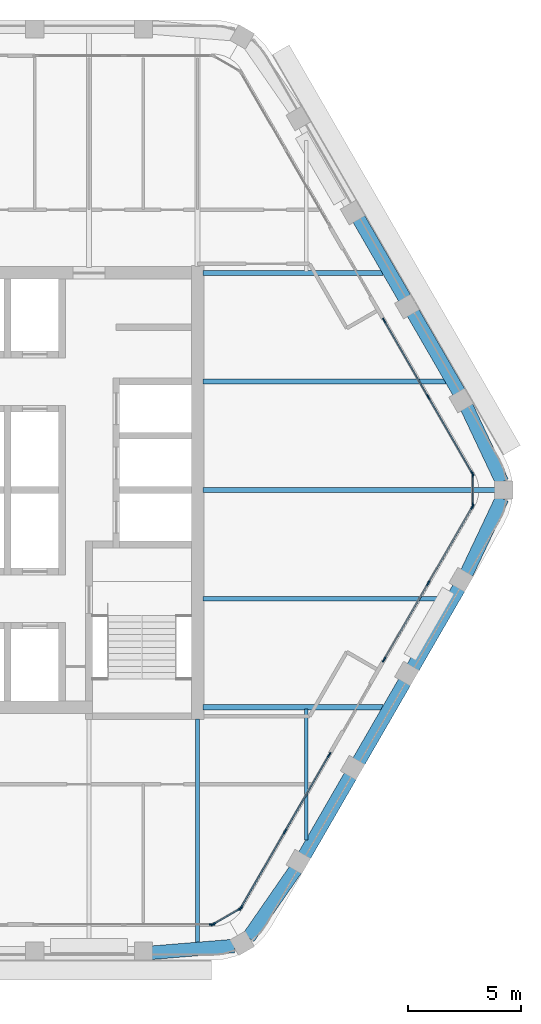
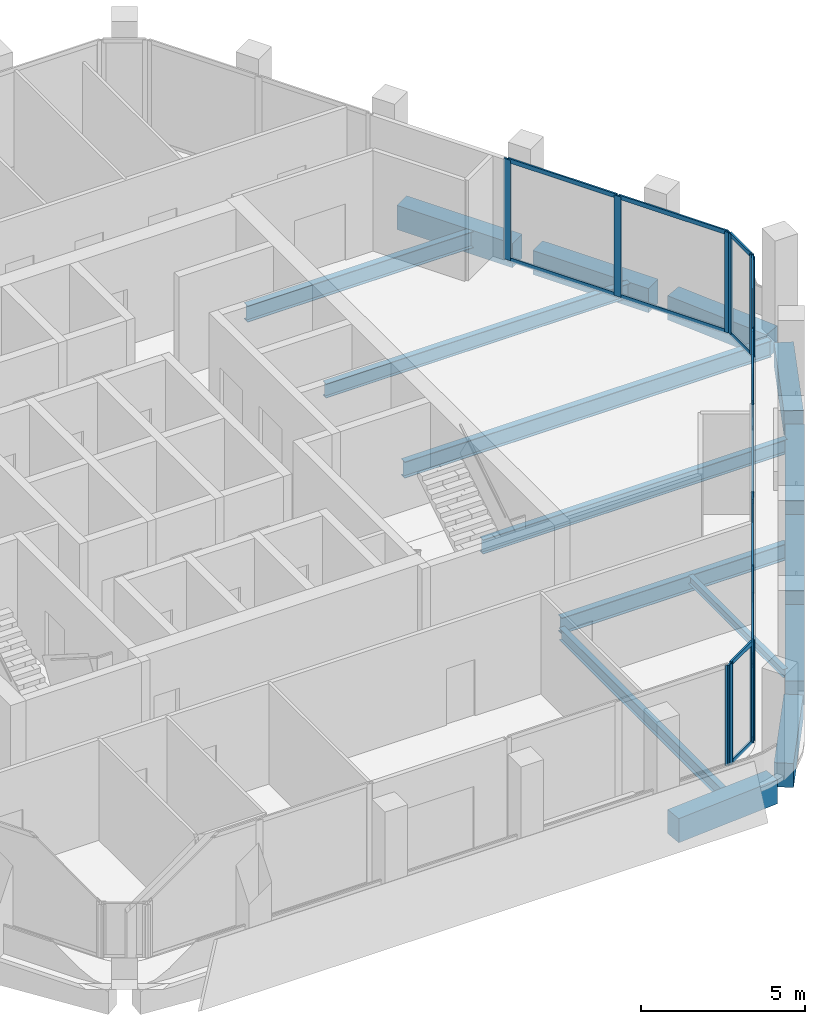
# One storey, part 4 of 13: 30 members, 16 beams, 6 elements without a shape of their own.
"""IFC4 building model written with IfcOpenShell, lengths in metres."""

import ifcopenshell
import ifcopenshell.guid

model = None  # the IFC model being written
_history = None  # IfcOwnerHistory: only IFC2X3 demands one
_inside = {}  # id of a spatial element -> (the spatial element, [elements in it])
_under = {}  # id of a project, library or spatial element -> (it, [spatial elements below it])
_declared = {}  # id of a project -> (the project, [libraries it declares])
_typed = {}  # id of a type object -> (the type object, [elements of that type])
_made_of = {}  # id of a material, layer set ... -> (it, [elements and type objects made of it])


def new_model(schema):
    """Start an empty IFC model of exactly this schema.

    Asked for "IFC4X3", IfcOpenShell would pick the latest addendum, in which some entities
    have other attributes; the version numbers below select the first issue.
    IFC2X3 requires an IfcOwnerHistory on every rooted entity: one is made here for all.
    """
    global model, _history
    if schema == "IFC4X3":
        model = ifcopenshell.file(schema_version=(4, 3, 0, 0))
    else:
        model = ifcopenshell.file(schema=schema)
    _inside.clear()
    _under.clear()
    _declared.clear()
    _typed.clear()
    _made_of.clear()
    _history = None
    if model.schema == "IFC2X3":
        org = make("IfcOrganization", Name="unknown")
        user = make(
            "IfcPersonAndOrganization",
            ThePerson=make("IfcPerson", FamilyName="unknown"),
            TheOrganization=org,
        )
        app = make(
            "IfcApplication",
            ApplicationDeveloper=org,
            Version="unknown",
            ApplicationFullName="unknown",
            ApplicationIdentifier="unknown",
        )
        _history = make(
            "IfcOwnerHistory",
            OwningUser=user,
            OwningApplication=app,
            ChangeAction="ADDED",
            CreationDate=0,
        )
    return model


def make(cls, **values):
    """One entity of the class cls with the attributes given. An attribute that is None is left unset."""
    return model.create_entity(
        cls, **{name: value for name, value in values.items() if value is not None}
    )


def rooted(cls, **values):
    """An entity with a GlobalId (a new one), such as an element, a storey or a relation."""
    return make(cls, GlobalId=ifcopenshell.guid.new(), OwnerHistory=_history, **values)


def si_unit(unit_type, name, prefix=None):
    """IfcSIUnit, for example si_unit("LENGTHUNIT", "METRE", prefix="MILLI")."""
    return make("IfcSIUnit", UnitType=unit_type, Prefix=prefix, Name=name)


def assignment(units):
    """IfcUnitAssignment: the units of a project."""
    return None if units is None else make("IfcUnitAssignment", Units=units)


def point(xyz):
    """IfcCartesianPoint."""
    return None if xyz is None else make("IfcCartesianPoint", Coordinates=xyz)


def direction(xyz):
    """IfcDirection."""
    return None if xyz is None else make("IfcDirection", DirectionRatios=xyz)


def frame(location, z_axis=None, x_axis=None):
    """IfcAxis2Placement3D, a coordinate frame: its origin and axes. An axis left out is left unset."""
    return make(
        "IfcAxis2Placement3D",
        Location=point(location),
        Axis=direction(z_axis),
        RefDirection=direction(x_axis),
    )


def frame_2d(location, x_axis=None):
    """IfcAxis2Placement2D, a coordinate frame in the plane: its origin and x axis."""
    return make(
        "IfcAxis2Placement2D", Location=point(location), RefDirection=direction(x_axis)
    )


def origin():
    """The frame at (0, 0, 0) with its axes left unset."""
    return frame((0.0, 0.0, 0.0))


def origin_2d():
    """The frame at (0, 0) in the plane with its x axis left unset."""
    return frame_2d((0.0, 0.0))


def place(relative_to, where):
    """IfcLocalPlacement: puts the frame where relative to a parent placement (None: the world)."""
    return make(
        "IfcLocalPlacement", PlacementRelTo=relative_to, RelativePlacement=where
    )


def context(
    kind, dimensions, precision=None, world=None, true_north=None, identifier=None
):
    """IfcGeometricRepresentationContext, for example the 3D "Model" context."""
    return make(
        "IfcGeometricRepresentationContext",
        ContextIdentifier=identifier,
        ContextType=kind,
        CoordinateSpaceDimension=dimensions,
        Precision=precision,
        WorldCoordinateSystem=world,
        TrueNorth=true_north,
    )


def subcontext(parent, identifier, kind, view, scale=None):
    """IfcGeometricRepresentationSubContext, for example "Body" below "Model"."""
    return make(
        "IfcGeometricRepresentationSubContext",
        ContextIdentifier=identifier,
        ContextType=kind,
        ParentContext=parent,
        TargetScale=scale,
        TargetView=view,
    )


def project(units=None, contexts=None):
    """IfcProject with its units and contexts."""
    return rooted(
        "IfcProject",
        Name="project",
        RepresentationContexts=contexts,
        UnitsInContext=assignment(units),
    )


def spatial(cls, under=None, at=None, **own):
    """A site, building, storey or space (cls), placed at a placement, below another one or the project."""
    s = rooted(cls, ObjectPlacement=at, **own)
    if under is not None:
        _under.setdefault(under.id(), (under, []))[1].append(s)
    return s


def profile(cls, at=None, kind="AREA", **sizes):
    """A parametric profile (cls). Its sizes go by their IFC names, for example OverallWidth=200.0."""
    return make(cls, ProfileType=kind, Position=at, **sizes)


def rectangle(**sizes):
    """IfcRectangleProfileDef."""
    return profile("IfcRectangleProfileDef", **sizes)


def i_section(**sizes):
    """IfcIShapeProfileDef."""
    return profile("IfcIShapeProfileDef", **sizes)


def extrude(swept, where, along, depth):
    """IfcExtrudedAreaSolid: the profile swept, set in the frame where, extruded along a direction by depth."""
    return make(
        "IfcExtrudedAreaSolid",
        SweptArea=swept,
        Position=where,
        ExtrudedDirection=direction(along),
        Depth=depth,
    )


def shape(context_of_items, identifier, shape_type, items):
    """IfcShapeRepresentation: the items that make up one representation, for example the "Body"."""
    return make(
        "IfcShapeRepresentation",
        ContextOfItems=context_of_items,
        RepresentationIdentifier=identifier,
        RepresentationType=shape_type,
        Items=items,
    )


def material(Name=None, Category=None):
    """IfcMaterial."""
    return make("IfcMaterial", Name=Name, Category=Category)


def material_profile(
    of_material, cross_section, Name=None, Category=None, Priority=None
):
    """IfcMaterialProfile: a cross section and its material."""
    return make(
        "IfcMaterialProfile",
        Name=Name,
        Material=of_material,
        Profile=cross_section,
        Priority=Priority,
        Category=Category,
    )


def profile_set(profiles, Name=None, composite=None):
    """IfcMaterialProfileSet."""
    return make(
        "IfcMaterialProfileSet",
        Name=Name,
        MaterialProfiles=profiles,
        CompositeProfile=composite,
    )


def made_of(thing, what):
    """Note that an element or type object is made of a material, layer set ...; save() writes the relation."""
    if what is not None:
        _made_of.setdefault(what.id(), (what, []))[1].append(thing)
    return thing


def type_object(cls, material=None, **own):
    """A type object (cls), such as IfcWallType, which elements share."""
    return made_of(rooted(cls, **own), material)


def element(
    cls,
    number,
    at=None,
    inside=None,
    cuts=None,
    type_object=None,
    material=None,
    context=None,
    identifier="Body",
    shape_type=None,
    held_by="IfcProductDefinitionShape",
    body=None,
    shapes=None,
    **own,
):
    """One element of the class cls, such as IfcWall. Its Tag is "e" and its number.

    at: its placement. inside: the storey or other place that contains it. cuts: it is an
    opening in that element (IfcRelVoidsElement). A single representation is given by context,
    identifier, shape_type and body (its items); several are given by shapes. held_by: the class
    of the entity that holds the representations. save() writes the other relations.
    """
    e = rooted(cls, Tag="e%d" % number, ObjectPlacement=at, **own)
    if body is not None:
        shapes = [shape(context, identifier, shape_type, body)]
    if shapes is not None:
        e.Representation = make(held_by, Representations=shapes)
    if inside is not None:
        _inside.setdefault(inside.id(), (inside, []))[1].append(e)
    if cuts is not None:
        rooted(
            "IfcRelVoidsElement", RelatingBuildingElement=cuts, RelatedOpeningElement=e
        )
    if type_object is not None:
        _typed.setdefault(type_object.id(), (type_object, []))[1].append(e)
    return made_of(e, material)


def aggregate(whole, parts):
    """IfcRelAggregates: a whole, such as a stair, and the parts it consists of."""
    return rooted("IfcRelAggregates", RelatingObject=whole, RelatedObjects=parts)


def save(model, path):
    """Write the relations noted so far, then the file.

    IfcRelAggregates (storeys below a building ...), IfcRelContainedInSpatialStructure (elements
    in a storey), IfcRelDefinesByType, IfcRelAssociatesMaterial and IfcRelDeclares: one each for
    every whole, place, type object, material and project.
    """
    for whole, parts in _under.values():
        aggregate(whole, parts)
    for where, things in _inside.values():
        rooted(
            "IfcRelContainedInSpatialStructure",
            RelatedElements=things,
            RelatingStructure=where,
        )
    for kind, things in _typed.values():
        rooted("IfcRelDefinesByType", RelatedObjects=things, RelatingType=kind)
    for what, things in _made_of.values():
        rooted("IfcRelAssociatesMaterial", RelatedObjects=things, RelatingMaterial=what)
    for by, libraries in _declared.values():
        rooted("IfcRelDeclares", RelatingContext=by, RelatedDefinitions=libraries)
    model.write(path)


model = new_model("IFC4")

# Units and contexts
model_context = context("Model", 3, precision=1e-05, world=origin(), true_north=direction((0.0, 1.0)))
body_context = subcontext(model_context, "Body", "Model", "MODEL_VIEW")
ifc_project = project(units=[si_unit("LENGTHUNIT", "METRE"), si_unit("AREAUNIT", "SQUARE_METRE"), si_unit("VOLUMEUNIT", "CUBIC_METRE"), si_unit("PLANEANGLEUNIT", "RADIAN"), si_unit("MASSUNIT", "GRAM", prefix="KILO")], contexts=[model_context])

# Site, building, storey
site_placement = place(None, origin())
site = spatial("IfcSite", under=ifc_project, at=site_placement, CompositionType="ELEMENT")
building_placement = place(site_placement, origin())
building = spatial("IfcBuilding", under=site, at=building_placement, Name="Kolab Exchange Tower", CompositionType="ELEMENT")
storey_placement = place(building_placement, frame((0.0, 0.0, 230.60009765625)))
storey = spatial("IfcBuildingStorey", under=building, at=storey_placement, Name="L50", CompositionType="ELEMENT", Elevation=230.60009765625)

# Beams
ifc_material_1 = material(Name="Steel S355", Category="steel")
ifc_material_profile_1 = material_profile(ifc_material_1, i_section(OverallWidth=0.1650390625, OverallDepth=0.31005859375, WebThickness=0.005859375, FlangeThickness=0.009765625, at=origin_2d()), Name="W310X39")
ifc_profile_set_1 = profile_set([ifc_material_profile_1], Name="Steel S355")
beam_type_1 = type_object("IfcBeamType", Name="FLOOR BEAM W310X39", PredefinedType="BEAM", material=ifc_profile_set_1)
beam_1_placement = place(storey_placement, frame((14.39990234375, -15.4677734375, -0.30517578125), z_axis=(0.0, 1.0, 0.0), x_axis=(-1.0, 0.0, 0.0)))
element("IfcBeam", 1, at=beam_1_placement, inside=storey, type_object=beam_type_1, Name="beam/L50/fr/018", PredefinedType="BEAM", context=body_context, shape_type="SweptSolid", body=[
    extrude(i_section(OverallWidth=0.1650390625, OverallDepth=0.31005859375, WebThickness=0.005859375, FlangeThickness=0.009765625, at=origin_2d()), origin(), (0.0, 0.0, 1.0), 5.793701171875),
])
ifc_material_profile_2 = material_profile(ifc_material_1, i_section(OverallWidth=0.18994140625, OverallDepth=0.45703125, WebThickness=0.009033203125, FlangeThickness=0.014404296875, at=origin_2d()), Name="W460X74")
ifc_profile_set_2 = profile_set([ifc_material_profile_2], Name="Steel S355")
beam_type_2 = type_object("IfcBeamType", Name="FLOOR BEAM W460X74", PredefinedType="BEAM", material=ifc_profile_set_2)
beam_2_placement = place(storey_placement, frame((9.60009765625, -20.027099609375, -0.378662109375), z_axis=(0.0, 1.0, 0.0), x_axis=(-1.0, 0.0, 0.0)))
element("IfcBeam", 2, at=beam_2_placement, inside=storey, type_object=beam_type_2, Name="beam/L50/fr/013", PredefinedType="BEAM", context=body_context, shape_type="SweptSolid", body=[
    extrude(i_section(OverallWidth=0.18994140625, OverallDepth=0.45703125, WebThickness=0.009033203125, FlangeThickness=0.014404296875, at=origin_2d()), origin(), (0.0, 0.0, 1.0), 9.9169921875),
])
ifc_material_profile_3 = material_profile(ifc_material_1, i_section(OverallWidth=0.208984375, OverallDepth=0.532958984375, WebThickness=0.01025390625, FlangeThickness=0.015625, at=origin_2d()), Name="W530X92")
ifc_profile_set_3 = profile_set([ifc_material_profile_3], Name="Steel S355")
beam_type_3 = type_object("IfcBeamType", Name="FLOOR BEAM W530X92", PredefinedType="BEAM", material=ifc_profile_set_3)
for number, where, z_axis, x_axis, name in (
    (3, (9.8349609375, -4.800048828125, -0.41650390625), (1.0, 0.0, 0.0), (0.0, 1.0, 0.0), "beam/L50/fr/015"),
    (4, (9.8349609375, 4.800048828125, -0.41650390625), (1.0, 0.0, 0.0), (0.0, 1.0, 0.0), "beam/L50/fr/017"),
):
    element("IfcBeam", number, at=place(storey_placement, frame(where, z_axis=z_axis, x_axis=x_axis)), inside=storey, type_object=beam_type_3, Name=name, PredefinedType="BEAM", context=body_context, shape_type="SweptSolid", body=[
        extrude(i_section(OverallWidth=0.208984375, OverallDepth=0.532958984375, WebThickness=0.01025390625, FlangeThickness=0.015625, at=origin_2d()), origin(), (0.0, 0.0, 1.0), 10.740966796875),
    ])
ifc_material_profile_4 = material_profile(ifc_material_1, i_section(OverallWidth=0.22802734375, OverallDepth=0.60791015625, WebThickness=0.01123046875, FlangeThickness=0.017333984375, at=origin_2d()), Name="W610X113")
ifc_profile_set_4 = profile_set([ifc_material_profile_4], Name="Steel S355")
beam_type_4 = type_object("IfcBeamType", Name="FLOOR BEAM W610X113", PredefinedType="BEAM", material=ifc_profile_set_4)
beam_3_placement = place(storey_placement, frame((9.8349609375, 0.0, -0.4541015625), z_axis=(1.0, 0.0, 0.0), x_axis=(0.0, 1.0, 0.0)))
element("IfcBeam", 5, at=beam_3_placement, inside=storey, type_object=beam_type_4, Name="beam/L50/fr/016", PredefinedType="BEAM", context=body_context, shape_type="SweptSolid", body=[
    extrude(i_section(OverallWidth=0.22802734375, OverallDepth=0.60791015625, WebThickness=0.01123046875, FlangeThickness=0.017333984375, at=origin_2d()), origin(), (0.0, 0.0, 1.0), 12.94091796875),
])
ifc_material_profile_5 = material_profile(ifc_material_1, i_section(OverallWidth=0.22802734375, OverallDepth=0.60791015625, WebThickness=0.01123046875, FlangeThickness=0.017333984375, at=origin_2d()), Name="W610X113")
ifc_profile_set_5 = profile_set([ifc_material_profile_5], Name="Steel S355")
beam_type_5 = type_object("IfcBeamType", Name="FLOOR GIRDER W610X113", PredefinedType="BEAM", material=ifc_profile_set_5)
for number, where, z_axis, x_axis, name in (
    (6, (9.8349609375, -9.60009765625, -0.4541015625), (1.0, 0.0, 0.0), (0.0, 1.0, 0.0), "beam/L50/gd/002"),
    (7, (9.8349609375, 9.60009765625, -0.4541015625), (1.0, 0.0, 0.0), (0.0, 1.0, 0.0), "beam/L50/gd/003"),
):
    element("IfcBeam", number, at=place(storey_placement, frame(where, z_axis=z_axis, x_axis=x_axis)), inside=storey, type_object=beam_type_5, Name=name, PredefinedType="BEAM", context=body_context, shape_type="SweptSolid", body=[
        extrude(i_section(OverallWidth=0.22802734375, OverallDepth=0.60791015625, WebThickness=0.01123046875, FlangeThickness=0.017333984375, at=origin_2d()), origin(), (0.0, 0.0, 1.0), 7.9697265625),
    ])
ifc_material_2 = material(Name="Concrete C50/60", Category="concrete")
ifc_material_profile_6 = material_profile(ifc_material_2, rectangle(XDim=0.60009765625, YDim=0.89990234375, at=origin_2d()), Name="RC600X900")
ifc_profile_set_6 = profile_set([ifc_material_profile_6], Name="Concrete C50/60")
beam_type_6 = type_object("IfcBeamType", Name="SPANDREL BEAM 600X900 C50/60", PredefinedType="BEAM", material=ifc_profile_set_6)
for number, where, z_axis, x_axis, name in (
    (8, (16.72021484375, 12.009033203125, -0.60009765625), (0.500000428765, -0.866025156237, 0.0), (0.866025156237, 0.500000428765, 0.0), "beam/L50/sp/F2-03"),
    (9, (19.1201171875, 7.85205078125, -0.60009765625), (0.500000428765, -0.866025156237, 0.0), (0.866025156237, 0.500000428765, 0.0), "beam/L50/sp/F2-04"),
):
    element("IfcBeam", number, at=place(storey_placement, frame(where, z_axis=z_axis, x_axis=x_axis)), inside=storey, type_object=beam_type_6, Name=name, PredefinedType="BEAM", context=body_context, shape_type="SweptSolid", body=[
        extrude(rectangle(XDim=0.60009765625, YDim=0.89990234375, at=origin_2d()), origin(), (0.0, 0.0, 1.0), 4.080078125),
    ])
for number, where, z_axis, x_axis, name in (
    (10, (21.49462890625, 3.68017578125, -0.60009765625), (0.427677251998, -0.903931506323, 0.0), (0.903931506323, 0.427677251998, 0.0), "beam/L50/sp/F2-05"),
    (11, (23.063720703125, -0.36376953125, -0.60009765625), (-0.427677251998, -0.903931506323, 0.0), (0.903931506323, -0.427677251998, 0.0), "beam/L50/sp/F3-01"),
):
    element("IfcBeam", number, at=place(storey_placement, frame(where, z_axis=z_axis, x_axis=x_axis)), inside=storey, type_object=beam_type_6, Name=name, PredefinedType="BEAM", context=body_context, shape_type="SweptSolid", body=[
        extrude(rectangle(XDim=0.60009765625, YDim=0.89990234375, at=origin_2d()), origin(), (0.0, 0.0, 1.0), 3.6689453125),
    ])
for number, where, z_axis, x_axis, name in (
    (12, (21.16015625, -4.318603515625, -0.60009765625), (-0.500000428765, -0.866025156237, 0.0), (0.866025156237, -0.500000428765, 0.0), "beam/L50/sp/F3-02"),
    (13, (18.76025390625, -8.4755859375, -0.60009765625), (-0.500000428765, -0.866025156237, 0.0), (0.866025156237, -0.500000428765, 0.0), "beam/L50/sp/F3-03"),
):
    element("IfcBeam", number, at=place(storey_placement, frame(where, z_axis=z_axis, x_axis=x_axis)), inside=storey, type_object=beam_type_6, Name=name, PredefinedType="BEAM", context=body_context, shape_type="SweptSolid", body=[
        extrude(rectangle(XDim=0.60009765625, YDim=0.89990234375, at=origin_2d()), origin(), (0.0, 0.0, 1.0), 4.080078125),
    ])
beam_4_placement = place(storey_placement, frame((16.360107421875, -12.632568359375, -0.60009765625), z_axis=(-0.499955548806, -0.866051066172, 0.0), x_axis=(0.866051066172, -0.499955548806, 0.0)))
element("IfcBeam", 14, at=beam_4_placement, inside=storey, type_object=beam_type_6, Name="beam/L50/sp/F3-04", PredefinedType="BEAM", context=body_context, shape_type="SweptSolid", body=[
    extrude(rectangle(XDim=0.60009765625, YDim=0.89990234375, at=origin_2d()), origin(), (0.0, 0.0, 1.0), 4.079833984375),
])
for number, where, z_axis, x_axis, name in (
    (15, (13.9345703125, -16.77490234375, -0.60009765625), (-0.569005808573, -0.822333502789, 0.0), (0.822333502789, -0.569005808573, 0.0), "beam/L50/sp/F3-05"),
    (16, (11.216796875, -20.15576171875, -0.60009765625), (-0.996666751878, -0.081580547323, 0.0), (0.081580547323, -0.996666751878, 0.0), "beam/L50/sp/F4-01"),
):
    element("IfcBeam", number, at=place(storey_placement, frame(where, z_axis=z_axis, x_axis=x_axis)), inside=storey, type_object=beam_type_6, Name=name, PredefinedType="BEAM", context=body_context, shape_type="SweptSolid", body=[
        extrude(rectangle(XDim=0.60009765625, YDim=0.89990234375, at=origin_2d()), origin(), (0.0, 0.0, 1.0), 3.6689453125),
    ])

# Curtain wall, members
ifc_material_3 = material(Name="Aluminium EN AW-6063 T6", Category="aluminium")
curtain_wall_type = type_object("IfcCurtainWallType", Name="UNITISED HIGH ZONE CURTAIN WALL", PredefinedType="NOTDEFINED", material=ifc_material_3)
curtain_wall_1_placement = place(storey_placement, origin())
curtain_wall_1 = element("IfcCurtainWall", 17, at=curtain_wall_1_placement, inside=storey, type_object=curtain_wall_type, Name="cw/L50/F2-2", PredefinedType="NOTDEFINED")
ifc_material_profile_7 = material_profile(ifc_material_3, rectangle(XDim=0.06005859375, YDim=0.239990234375, at=origin_2d()), Name="RECT 60X240")
ifc_profile_set_7 = profile_set([ifc_material_profile_7], Name="Aluminium EN AW-6063 T6")
member_type_1 = type_object("IfcMemberType", Name="UNITISED HIGH ZONE MULLION 60 X 240", PredefinedType="MULLION", material=ifc_profile_set_7)
member_1_placement = place(storey_placement, frame((17.8466796875, 7.497802734375, 0.0), z_axis=(0.0, 0.0, 1.0), x_axis=(0.866025440524, 0.499999936366, 0.0)))
member_1 = element("IfcMember", 18, at=member_1_placement, type_object=member_type_1, Name="CW4 mullion 1", PredefinedType="MULLION", context=body_context, shape_type="SweptSolid", body=[
    extrude(rectangle(XDim=0.06005859375, YDim=0.239990234375, at=origin_2d()), origin(), (0.0, 0.0, 1.0), 3.75),
])
member_2_placement = place(storey_placement, frame((19.798583984375, 4.116943359375, 0.0), z_axis=(0.0, 0.0, 1.0), x_axis=(0.866025440524, 0.499999936366, 0.0)))
member_2 = element("IfcMember", 19, at=member_2_placement, type_object=member_type_1, Name="CW4 mullion 2", PredefinedType="MULLION", context=body_context, shape_type="SweptSolid", body=[
    extrude(rectangle(XDim=0.06005859375, YDim=0.239990234375, at=origin_2d()), origin(), (0.0, 0.0, 1.0), 3.75),
])
member_3_placement = place(storey_placement, frame((21.750732421875, 0.736083984375, 0.0), z_axis=(0.0, 0.0, 1.0), x_axis=(0.866025440524, 0.499999936366, 0.0)))
member_3 = element("IfcMember", 20, at=member_3_placement, type_object=member_type_1, Name="CW4 mullion 3", PredefinedType="MULLION", context=body_context, shape_type="SweptSolid", body=[
    extrude(rectangle(XDim=0.06005859375, YDim=0.239990234375, at=origin_2d()), origin(), (0.0, 0.0, 1.0), 3.75),
])

curtain_wall_2_placement = place(storey_placement, origin())
curtain_wall_2 = element("IfcCurtainWall", 21, at=curtain_wall_2_placement, inside=storey, type_object=curtain_wall_type, Name="cw/L50/F3-1", PredefinedType="NOTDEFINED")
member_4_placement = place(storey_placement, frame((21.750732421875, -0.736083984375, 0.0), z_axis=(0.0, 0.0, 1.0), x_axis=(0.866025440524, -0.499999936366, 0.0)))
member_4 = element("IfcMember", 22, at=member_4_placement, type_object=member_type_1, Name="CW4 mullion 1", PredefinedType="MULLION", context=body_context, shape_type="SweptSolid", body=[
    extrude(rectangle(XDim=0.06005859375, YDim=0.239990234375, at=origin_2d()), origin(), (0.0, 0.0, 1.0), 3.75),
])
member_5_placement = place(storey_placement, frame((19.798583984375, -4.116943359375, 0.0), z_axis=(0.0, 0.0, 1.0), x_axis=(0.866025440524, -0.499999936366, 0.0)))
member_5 = element("IfcMember", 23, at=member_5_placement, type_object=member_type_1, Name="CW4 mullion 2", PredefinedType="MULLION", context=body_context, shape_type="SweptSolid", body=[
    extrude(rectangle(XDim=0.06005859375, YDim=0.239990234375, at=origin_2d()), origin(), (0.0, 0.0, 1.0), 3.75),
])
member_6_placement = place(storey_placement, frame((17.8466796875, -7.497802734375, 0.0), z_axis=(0.0, 0.0, 1.0), x_axis=(0.866025440524, -0.499999936366, 0.0)))
member_6 = element("IfcMember", 24, at=member_6_placement, type_object=member_type_1, Name="CW4 mullion 3", PredefinedType="MULLION", context=body_context, shape_type="SweptSolid", body=[
    extrude(rectangle(XDim=0.06005859375, YDim=0.239990234375, at=origin_2d()), origin(), (0.0, 0.0, 1.0), 3.75),
])

curtain_wall_3_placement = place(storey_placement, origin())
curtain_wall_3 = element("IfcCurtainWall", 25, at=curtain_wall_3_placement, inside=storey, type_object=curtain_wall_type, Name="cw/L50/F3-2", PredefinedType="NOTDEFINED")
member_7_placement = place(storey_placement, frame((15.416748046875, -11.706787109375, 0.0), z_axis=(0.0, 0.0, 1.0), x_axis=(0.866025385493, -0.500000031681, 0.0)))
member_7 = element("IfcMember", 26, at=member_7_placement, type_object=member_type_1, Name="CW4 mullion 1", PredefinedType="MULLION", context=body_context, shape_type="SweptSolid", body=[
    extrude(rectangle(XDim=0.06005859375, YDim=0.239990234375, at=origin_2d()), origin(), (0.0, 0.0, 1.0), 3.75),
])
member_8_placement = place(storey_placement, frame((13.464599609375, -15.087646484375, 0.0), z_axis=(0.0, 0.0, 1.0), x_axis=(0.866025385493, -0.500000031681, 0.0)))
member_8 = element("IfcMember", 27, at=member_8_placement, type_object=member_type_1, Name="CW4 mullion 2", PredefinedType="MULLION", context=body_context, shape_type="SweptSolid", body=[
    extrude(rectangle(XDim=0.06005859375, YDim=0.239990234375, at=origin_2d()), origin(), (0.0, 0.0, 1.0), 3.75),
])
member_9_placement = place(storey_placement, frame((11.5126953125, -18.46875, 0.0), z_axis=(0.0, 0.0, 1.0), x_axis=(0.866025385493, -0.500000031681, 0.0)))
member_9 = element("IfcMember", 28, at=member_9_placement, type_object=member_type_1, Name="CW4 mullion 3", PredefinedType="MULLION", context=body_context, shape_type="SweptSolid", body=[
    extrude(rectangle(XDim=0.06005859375, YDim=0.239990234375, at=origin_2d()), origin(), (0.0, 0.0, 1.0), 3.75),
])

# Curtain wall, member
curtain_wall_4_placement = place(storey_placement, origin())
curtain_wall_4 = element("IfcCurtainWall", 29, at=curtain_wall_4_placement, inside=storey, type_object=curtain_wall_type, Name="cw/L50/F4-1", PredefinedType="NOTDEFINED")
member_10_placement = place(storey_placement, frame((10.238037109375, -19.20458984375, 0.0), z_axis=(0.0, 0.0, 1.0), x_axis=(0.0, -1.0, 0.0)))
member_10 = element("IfcMember", 30, at=member_10_placement, type_object=member_type_1, Name="CW4 mullion 1", PredefinedType="MULLION", context=body_context, shape_type="SweptSolid", body=[
    extrude(rectangle(XDim=0.06005859375, YDim=0.239990234375, at=origin_2d()), origin(), (0.0, 0.0, 1.0), 3.75),
])
aggregate(curtain_wall_4, [member_10])

# Curtain wall, members
curtain_wall_5_placement = place(storey_placement, origin())
curtain_wall_5 = element("IfcCurtainWall", 31, at=curtain_wall_5_placement, inside=storey, type_object=curtain_wall_type, Name="cw/L50/F2F3-corner", PredefinedType="NOTDEFINED")
member_11_placement = place(storey_placement, frame((21.765625, 0.679931640625, 0.0), z_axis=(0.0, 0.0, 1.0), x_axis=(1.0, 0.0, 0.0)))
member_11 = element("IfcMember", 32, at=member_11_placement, type_object=member_type_1, Name="CW4 mullion 1", PredefinedType="MULLION", context=body_context, shape_type="SweptSolid", body=[
    extrude(rectangle(XDim=0.06005859375, YDim=0.239990234375, at=origin_2d()), origin(), (0.0, 0.0, 1.0), 3.75),
])
member_12_placement = place(storey_placement, frame((21.765625, -0.679931640625, 0.0), z_axis=(0.0, 0.0, 1.0), x_axis=(1.0, 0.0, 0.0)))
member_12 = element("IfcMember", 33, at=member_12_placement, type_object=member_type_1, Name="CW4 mullion 2", PredefinedType="MULLION", context=body_context, shape_type="SweptSolid", body=[
    extrude(rectangle(XDim=0.06005859375, YDim=0.239990234375, at=origin_2d()), origin(), (0.0, 0.0, 1.0), 3.75),
])

curtain_wall_6_placement = place(storey_placement, origin())
curtain_wall_6 = element("IfcCurtainWall", 34, at=curtain_wall_6_placement, inside=storey, type_object=curtain_wall_type, Name="cw/L50/F3F4-corner", PredefinedType="NOTDEFINED")
member_13_placement = place(storey_placement, frame((11.4716796875, -18.509521484375, 0.0), z_axis=(0.0, 0.0, 1.0), x_axis=(0.50000002237, -0.866025390869, 0.0)))
member_13 = element("IfcMember", 35, at=member_13_placement, type_object=member_type_1, Name="CW4 mullion 1", PredefinedType="MULLION", context=body_context, shape_type="SweptSolid", body=[
    extrude(rectangle(XDim=0.06005859375, YDim=0.239990234375, at=origin_2d()), origin(), (0.0, 0.0, 1.0), 3.75),
])
member_14_placement = place(storey_placement, frame((10.2939453125, -19.189697265625, 0.0), z_axis=(0.0, 0.0, 1.0), x_axis=(0.50000002237, -0.866025390869, 0.0)))
member_14 = element("IfcMember", 36, at=member_14_placement, type_object=member_type_1, Name="CW4 mullion 2", PredefinedType="MULLION", context=body_context, shape_type="SweptSolid", body=[
    extrude(rectangle(XDim=0.06005859375, YDim=0.239990234375, at=origin_2d()), origin(), (0.0, 0.0, 1.0), 3.75),
])

# Member
ifc_material_profile_8 = material_profile(ifc_material_3, rectangle(XDim=0.06005859375, YDim=0.159912109375, at=origin_2d()), Name="RECT 60X160")
ifc_profile_set_8 = profile_set([ifc_material_profile_8], Name="Aluminium EN AW-6063 T6")
member_type_2 = type_object("IfcMemberType", Name="UNITISED HIGH ZONE TRANSOM 60 X 160", PredefinedType="USERDEFINED", material=ifc_profile_set_8)
member_15_placement = place(storey_placement, frame((17.861572265625, 7.471923828125, 0.02978515625), z_axis=(0.500011990396, -0.866018481016, 0.0), x_axis=(0.866018481016, 0.500011990396, 0.0)))
member_15 = element("IfcMember", 37, at=member_15_placement, type_object=member_type_2, Name="CW4 transom 1.1", ObjectType="TRANSOM", PredefinedType="USERDEFINED", context=body_context, shape_type="SweptSolid", body=[
    extrude(rectangle(XDim=0.06005859375, YDim=0.159912109375, at=origin_2d()), origin(), (0.0, 0.0, 1.0), 3.84423828125),
])

member_16_placement = place(storey_placement, frame((17.861572265625, 7.471923828125, 3.719970703125), z_axis=(0.500011990396, -0.866018481016, 0.0), x_axis=(0.866018481016, 0.500011990396, 0.0)))
member_16 = element("IfcMember", 38, at=member_16_placement, type_object=member_type_2, Name="CW4 transom 1.2", ObjectType="TRANSOM", PredefinedType="USERDEFINED", context=body_context, shape_type="SweptSolid", body=[
    extrude(rectangle(XDim=0.06005859375, YDim=0.159912109375, at=origin_2d()), origin(), (0.0, 0.0, 1.0), 3.84423828125),
])

member_17_placement = place(storey_placement, frame((19.813720703125, 4.0908203125, 0.02978515625), z_axis=(0.499991857942, -0.866030104553, 0.0), x_axis=(0.866030104553, 0.499991857942, 0.0)))
member_17 = element("IfcMember", 39, at=member_17_placement, type_object=member_type_2, Name="CW4 transom 2.1", ObjectType="TRANSOM", PredefinedType="USERDEFINED", context=body_context, shape_type="SweptSolid", body=[
    extrude(rectangle(XDim=0.06005859375, YDim=0.159912109375, at=origin_2d()), origin(), (0.0, 0.0, 1.0), 3.84375),
])

member_18_placement = place(storey_placement, frame((19.813720703125, 4.0908203125, 3.719970703125), z_axis=(0.499991857942, -0.866030104553, 0.0), x_axis=(0.866030104553, 0.499991857942, 0.0)))
member_18 = element("IfcMember", 40, at=member_18_placement, type_object=member_type_2, Name="CW4 transom 2.2", ObjectType="TRANSOM", PredefinedType="USERDEFINED", context=body_context, shape_type="SweptSolid", body=[
    extrude(rectangle(XDim=0.06005859375, YDim=0.159912109375, at=origin_2d()), origin(), (0.0, 0.0, 1.0), 3.84375),
])

aggregate(curtain_wall_1, [member_1, member_2, member_3, member_15, member_16, member_17, member_18])

member_19_placement = place(storey_placement, frame((21.735595703125, -0.761962890625, 0.02978515625), z_axis=(-0.499991857942, -0.866030104553, 0.0), x_axis=(0.866030104553, -0.499991857942, 0.0)))
member_19 = element("IfcMember", 41, at=member_19_placement, type_object=member_type_2, Name="CW4 transom 1.1", ObjectType="TRANSOM", PredefinedType="USERDEFINED", context=body_context, shape_type="SweptSolid", body=[
    extrude(rectangle(XDim=0.06005859375, YDim=0.159912109375, at=origin_2d()), origin(), (0.0, 0.0, 1.0), 3.84375),
])

member_20_placement = place(storey_placement, frame((21.735595703125, -0.761962890625, 3.719970703125), z_axis=(-0.499991857942, -0.866030104553, 0.0), x_axis=(0.866030104553, -0.499991857942, 0.0)))
member_20 = element("IfcMember", 42, at=member_20_placement, type_object=member_type_2, Name="CW4 transom 1.2", ObjectType="TRANSOM", PredefinedType="USERDEFINED", context=body_context, shape_type="SweptSolid", body=[
    extrude(rectangle(XDim=0.06005859375, YDim=0.159912109375, at=origin_2d()), origin(), (0.0, 0.0, 1.0), 3.84375),
])

member_21_placement = place(storey_placement, frame((19.78369140625, -4.142822265625, 0.02978515625), z_axis=(-0.500011990396, -0.866018481016, 0.0), x_axis=(0.866018481016, -0.500011990396, 0.0)))
member_21 = element("IfcMember", 43, at=member_21_placement, type_object=member_type_2, Name="CW4 transom 2.1", ObjectType="TRANSOM", PredefinedType="USERDEFINED", context=body_context, shape_type="SweptSolid", body=[
    extrude(rectangle(XDim=0.06005859375, YDim=0.159912109375, at=origin_2d()), origin(), (0.0, 0.0, 1.0), 3.84423828125),
])

member_22_placement = place(storey_placement, frame((19.78369140625, -4.142822265625, 3.719970703125), z_axis=(-0.500011990396, -0.866018481016, 0.0), x_axis=(0.866018481016, -0.500011990396, 0.0)))
member_22 = element("IfcMember", 44, at=member_22_placement, type_object=member_type_2, Name="CW4 transom 2.2", ObjectType="TRANSOM", PredefinedType="USERDEFINED", context=body_context, shape_type="SweptSolid", body=[
    extrude(rectangle(XDim=0.06005859375, YDim=0.159912109375, at=origin_2d()), origin(), (0.0, 0.0, 1.0), 3.84423828125),
])

aggregate(curtain_wall_2, [member_4, member_5, member_6, member_19, member_20, member_21, member_22])

member_23_placement = place(storey_placement, frame((15.401611328125, -11.732666015625, 0.02978515625), z_axis=(-0.499964356602, -0.866045981532, 0.0), x_axis=(0.866045981532, -0.499964356602, 0.0)))
member_23 = element("IfcMember", 45, at=member_23_placement, type_object=member_type_2, Name="CW4 transom 1.1", ObjectType="TRANSOM", PredefinedType="USERDEFINED", context=body_context, shape_type="SweptSolid", body=[
    extrude(rectangle(XDim=0.06005859375, YDim=0.159912109375, at=origin_2d()), origin(), (0.0, 0.0, 1.0), 3.843994140625),
])

member_24_placement = place(storey_placement, frame((15.401611328125, -11.732666015625, 3.719970703125), z_axis=(-0.499964356602, -0.866045981532, 0.0), x_axis=(0.866045981532, -0.499964356602, 0.0)))
member_24 = element("IfcMember", 46, at=member_24_placement, type_object=member_type_2, Name="CW4 transom 1.2", ObjectType="TRANSOM", PredefinedType="USERDEFINED", context=body_context, shape_type="SweptSolid", body=[
    extrude(rectangle(XDim=0.06005859375, YDim=0.159912109375, at=origin_2d()), origin(), (0.0, 0.0, 1.0), 3.843994140625),
])

member_25_placement = place(storey_placement, frame((13.44970703125, -15.11376953125, 0.02978515625), z_axis=(-0.500039492609, -0.866002601515, 0.0), x_axis=(0.866002601515, -0.500039492609, 0.0)))
member_25 = element("IfcMember", 47, at=member_25_placement, type_object=member_type_2, Name="CW4 transom 2.1", ObjectType="TRANSOM", PredefinedType="USERDEFINED", context=body_context, shape_type="SweptSolid", body=[
    extrude(rectangle(XDim=0.06005859375, YDim=0.159912109375, at=origin_2d()), origin(), (0.0, 0.0, 1.0), 3.843994140625),
])

member_26_placement = place(storey_placement, frame((13.44970703125, -15.11376953125, 3.719970703125), z_axis=(-0.500039492609, -0.866002601515, 0.0), x_axis=(0.866002601515, -0.500039492609, 0.0)))
member_26 = element("IfcMember", 48, at=member_26_placement, type_object=member_type_2, Name="CW4 transom 2.2", ObjectType="TRANSOM", PredefinedType="USERDEFINED", context=body_context, shape_type="SweptSolid", body=[
    extrude(rectangle(XDim=0.06005859375, YDim=0.159912109375, at=origin_2d()), origin(), (0.0, 0.0, 1.0), 3.843994140625),
])

aggregate(curtain_wall_3, [member_7, member_8, member_9, member_23, member_24, member_25, member_26])

member_27_placement = place(storey_placement, frame((21.765625, 0.64990234375, 0.02978515625), z_axis=(0.0, -1.0, 0.0), x_axis=(1.0, 0.0, 0.0)))
member_27 = element("IfcMember", 49, at=member_27_placement, type_object=member_type_2, Name="CW4 transom 1.1", ObjectType="TRANSOM", PredefinedType="USERDEFINED", context=body_context, shape_type="SweptSolid", body=[
    extrude(rectangle(XDim=0.06005859375, YDim=0.159912109375, at=origin_2d()), origin(), (0.0, 0.0, 1.0), 1.2998046875),
])

member_28_placement = place(storey_placement, frame((21.765625, 0.64990234375, 3.719970703125), z_axis=(0.0, -1.0, 0.0), x_axis=(1.0, 0.0, 0.0)))
member_28 = element("IfcMember", 50, at=member_28_placement, type_object=member_type_2, Name="CW4 transom 1.2", ObjectType="TRANSOM", PredefinedType="USERDEFINED", context=body_context, shape_type="SweptSolid", body=[
    extrude(rectangle(XDim=0.06005859375, YDim=0.159912109375, at=origin_2d()), origin(), (0.0, 0.0, 1.0), 1.2998046875),
])

aggregate(curtain_wall_5, [member_11, member_12, member_27, member_28])

member_29_placement = place(storey_placement, frame((11.44580078125, -18.524658203125, 0.02978515625), z_axis=(-0.866085525409, -0.49989585183, 0.0), x_axis=(0.49989585183, -0.866085525409, 0.0)))
member_29 = element("IfcMember", 51, at=member_29_placement, type_object=member_type_2, Name="CW4 transom 1.1", ObjectType="TRANSOM", PredefinedType="USERDEFINED", context=body_context, shape_type="SweptSolid", body=[
    extrude(rectangle(XDim=0.06005859375, YDim=0.159912109375, at=origin_2d()), origin(), (0.0, 0.0, 1.0), 1.300048828125),
])

member_30_placement = place(storey_placement, frame((11.44580078125, -18.524658203125, 3.719970703125), z_axis=(-0.866085525409, -0.49989585183, 0.0), x_axis=(0.49989585183, -0.866085525409, 0.0)))
member_30 = element("IfcMember", 52, at=member_30_placement, type_object=member_type_2, Name="CW4 transom 1.2", ObjectType="TRANSOM", PredefinedType="USERDEFINED", context=body_context, shape_type="SweptSolid", body=[
    extrude(rectangle(XDim=0.06005859375, YDim=0.159912109375, at=origin_2d()), origin(), (0.0, 0.0, 1.0), 1.300048828125),
])

aggregate(curtain_wall_6, [member_13, member_14, member_29, member_30])

save(model, "model.ifc")
